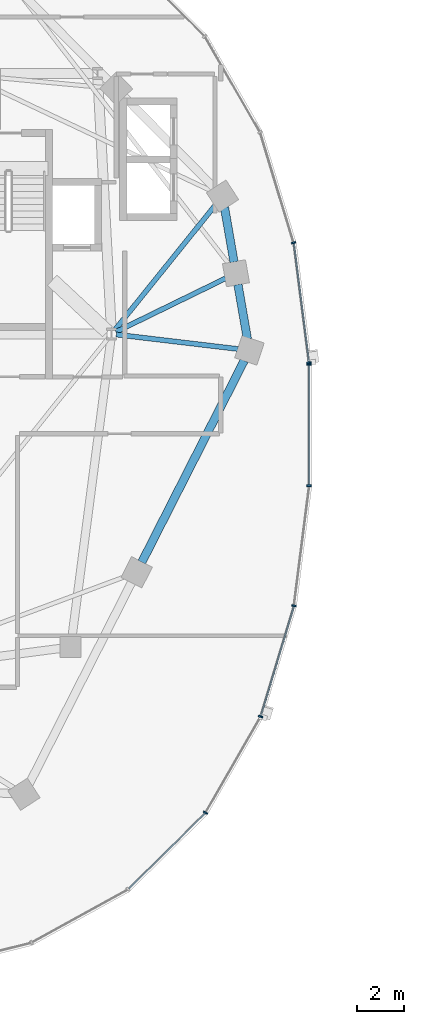
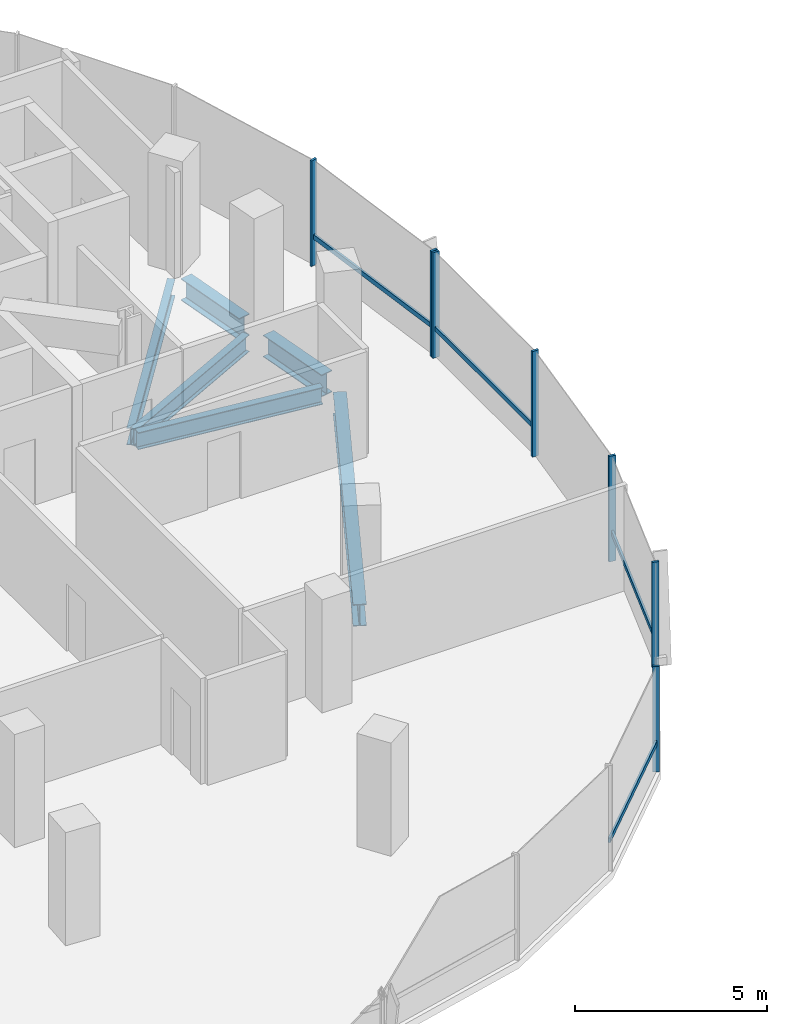
# One storey, part 4 of 22: 11 members, 6 beams, 2 elements without a shape of their own.
"""IFC4 building model written with IfcOpenShell, lengths in metres."""

from ifc_helpers import new_model, si_unit, direction, frame, origin, origin_2d, place, context, subcontext, project, spatial, rectangle, i_section, extrude, material, material_profile, profile_set, type_object, element, aggregate, save


model = new_model("IFC4")

# Units and contexts
model_context = context("Model", 3, precision=1e-05, world=origin(), true_north=direction((0.0, 1.0)))
body_context = subcontext(model_context, "Body", "Model", "MODEL_VIEW")
ifc_project = project(units=[si_unit("LENGTHUNIT", "METRE"), si_unit("AREAUNIT", "SQUARE_METRE"), si_unit("VOLUMEUNIT", "CUBIC_METRE"), si_unit("PLANEANGLEUNIT", "RADIAN"), si_unit("MASSUNIT", "GRAM", prefix="KILO"), si_unit("THERMODYNAMICTEMPERATUREUNIT", "KELVIN"), si_unit("POWERUNIT", "WATT")], contexts=[model_context])

# Site, building, storey
site_placement = place(None, origin())
site = spatial("IfcSite", under=ifc_project, at=site_placement, CompositionType="ELEMENT")
building_placement = place(site_placement, origin())
building = spatial("IfcBuilding", under=site, at=building_placement, Name="Cundina Bronze Exchange", CompositionType="ELEMENT")
storey_placement = place(building_placement, frame((0.0, 0.0, 147.60009765625)))
storey = spatial("IfcBuildingStorey", under=building, at=storey_placement, Name="L38", CompositionType="ELEMENT", Elevation=147.60009765625)

# Beams
ifc_material_1 = material(Name="Steel ASTM A992 Grade 50", Category="steel")
ifc_material_profile_1 = material_profile(ifc_material_1, i_section(OverallWidth=0.2119140625, OverallDepth=0.5439453125, WebThickness=0.01318359375, FlangeThickness=0.021240234375, FilletRadius=0.013916015625, at=origin_2d()), Name="W21X83", Category="steel")
ifc_profile_set_1 = profile_set([ifc_material_profile_1], Name="Steel ASTM A992 Grade 50")
beam_type_1 = type_object("IfcBeamType", Name="BM-FLR-W21A", PredefinedType="BEAM", material=ifc_profile_set_1)
beam_1_placement = place(storey_placement, frame((-21.247314453125, 3.8759765625, -0.51220703125), z_axis=(0.993036158382, -0.11780996624, 0.0), x_axis=(0.11780996624, 0.993036158382, 0.0)))
element("IfcBeam", 1, at=beam_1_placement, inside=storey, type_object=beam_type_1, Name="L38 Leg W Radial Floor Beam 00", PredefinedType="BEAM", context=body_context, shape_type="SweptSolid", body=[
    extrude(i_section(OverallWidth=0.2119140625, OverallDepth=0.5439453125, WebThickness=0.01318359375, FlangeThickness=0.021240234375, FilletRadius=0.013916015625, at=origin_2d()), origin(), (0.0, 0.0, 1.0), 5.249267578125),
])
beam_2_placement = place(storey_placement, frame((-21.2666015625, 3.989501953125, -0.51220703125), z_axis=(0.898604300669, 0.438759969481, 0.0), x_axis=(-0.438759969481, 0.898604300669, 0.0)))
element("IfcBeam", 2, at=beam_2_placement, inside=storey, type_object=beam_type_1, Name="L38 Leg W Radial Floor Beam 01", PredefinedType="BEAM", context=body_context, shape_type="SweptSolid", body=[
    extrude(i_section(OverallWidth=0.2119140625, OverallDepth=0.5439453125, WebThickness=0.01318359375, FlangeThickness=0.021240234375, FilletRadius=0.013916015625, at=origin_2d()), origin(), (0.0, 0.0, 1.0), 5.23388671875),
])
beam_3_placement = place(storey_placement, frame((-21.322021484375, 4.058837890625, -0.51220703125), z_axis=(0.627088684379, 0.778947868553, 0.0), x_axis=(-0.778947868553, 0.627088684379, 0.0)))
element("IfcBeam", 3, at=beam_3_placement, inside=storey, type_object=beam_type_1, Name="L38 Leg W Radial Floor Beam 02", PredefinedType="BEAM", context=body_context, shape_type="SweptSolid", body=[
    extrude(i_section(OverallWidth=0.2119140625, OverallDepth=0.5439453125, WebThickness=0.01318359375, FlangeThickness=0.021240234375, FilletRadius=0.013916015625, at=origin_2d()), origin(), (0.0, 0.0, 1.0), 6.882568359375),
])
ifc_material_profile_2 = material_profile(ifc_material_1, i_section(OverallWidth=0.35498046875, OverallDepth=0.695068359375, WebThickness=0.015380859375, FlangeThickness=0.02490234375, FilletRadius=0.01806640625, at=origin_2d()), Name="W27X146", Category="steel")
ifc_profile_set_2 = profile_set([ifc_material_profile_2], Name="Steel ASTM A992 Grade 50")
beam_type_2 = type_object("IfcBeamType", Name="BM-RING-W27", PredefinedType="USERDEFINED", material=ifc_profile_set_2)
for number, where, z_axis, x_axis, name in (
    (4, (-15.6337890625, 3.680908203125, -0.587646484375), (-0.171666718895, 0.985155083032, 0.0), (-0.985155083032, -0.171666718895, 0.0), "L38 W Perimeter Ring Girder 00"),
    (5, (-16.208740234375, 6.980712890625, -0.587646484375), (-0.171666718895, 0.985155083032, 0.0), (-0.985155083032, -0.171666718895, 0.0), "L38 W Perimeter Ring Girder 01"),
):
    element("IfcBeam", number, at=place(storey_placement, frame(where, z_axis=z_axis, x_axis=x_axis)), inside=storey, type_object=beam_type_2, Name=name, ObjectType="GIRDER", PredefinedType="USERDEFINED", context=body_context, shape_type="SweptSolid", body=[
        extrude(i_section(OverallWidth=0.35498046875, OverallDepth=0.695068359375, WebThickness=0.015380859375, FlangeThickness=0.02490234375, FilletRadius=0.01806640625, at=origin_2d()), origin(), (0.0, 0.0, 1.0), 2.37353515625),
    ])
beam_4_placement = place(storey_placement, frame((-20.154052734375, -5.864990234375, -0.587646484375), z_axis=(0.452834585354, 0.891594548159, 0.0), x_axis=(-0.891594548159, 0.452834585354, 0.0)))
element("IfcBeam", 6, at=beam_4_placement, inside=storey, type_object=beam_type_2, Name="L38 W Perimeter Ring Girder 13", ObjectType="GIRDER", PredefinedType="USERDEFINED", context=body_context, shape_type="SweptSolid", body=[
    extrude(i_section(OverallWidth=0.35498046875, OverallDepth=0.695068359375, WebThickness=0.015380859375, FlangeThickness=0.02490234375, FilletRadius=0.01806640625, at=origin_2d()), origin(), (0.0, 0.0, 1.0), 9.67919921875),
])

# Curtain wall, members
ifc_material_2 = material(Name="Anodised Bronze Aluminium 6063-T6", Category="aluminium")
curtain_wall_type = type_object("IfcCurtainWallType", Name="CWS-WST-PIN", PredefinedType="NOTDEFINED", material=ifc_material_2)
curtain_wall_1_placement = place(storey_placement, origin())
curtain_wall_1 = element("IfcCurtainWall", 7, at=curtain_wall_1_placement, inside=storey, type_object=curtain_wall_type, Name="L38 CW-04 Curtain Wall Run CWR-L38-W1", PredefinedType="NOTDEFINED")
ifc_material_profile_3 = material_profile(ifc_material_2, rectangle(XDim=0.070068359375, YDim=0.18994140625, at=origin_2d()), Name="AL70X190", Category="aluminium")
ifc_profile_set_3 = profile_set([ifc_material_profile_3], Name="Anodised Bronze Aluminium 6063-T6")
member_type_1 = type_object("IfcMemberType", Name="CWM-MUL-190", PredefinedType="MULLION", material=ifc_profile_set_3)
member_1_placement = place(storey_placement, frame((-12.998291015625, 2.676025390625, 0.0), z_axis=(0.0, 0.0, 1.0), x_axis=(-0.126545236492, 0.991960837494, 0.0)))
member_1 = element("IfcMember", 8, at=member_1_placement, type_object=member_type_1, Name="CW-04 Mullion 1", PredefinedType="MULLION", context=body_context, shape_type="SweptSolid", body=[
    extrude(rectangle(XDim=0.070068359375, YDim=0.18994140625, at=origin_2d()), origin(), (0.0, 0.0, 1.0), 3.35986328125),
])
member_2_placement = place(storey_placement, frame((-13.6591796875, 7.80859375, 0.0), z_axis=(0.0, 0.0, 1.0), x_axis=(-0.290034140915, 0.957016299288, 0.0)))
member_2 = element("IfcMember", 9, at=member_2_placement, type_object=member_type_1, Name="CW-04 Mullion 2", PredefinedType="MULLION", context=body_context, shape_type="SweptSolid", body=[
    extrude(rectangle(XDim=0.070068359375, YDim=0.18994140625, at=origin_2d()), origin(), (0.0, 0.0, 1.0), 3.35986328125),
])

curtain_wall_2_placement = place(storey_placement, origin())
curtain_wall_2 = element("IfcCurtainWall", 10, at=curtain_wall_2_placement, inside=storey, type_object=curtain_wall_type, Name="L38 CW-04 Curtain Wall Run CWR-L38-W4", PredefinedType="NOTDEFINED")
member_3_placement = place(storey_placement, frame((-17.42919921875, -16.588134765625, 0.0), z_axis=(0.0, 0.0, 1.0), x_axis=(0.498487739754, 0.866896748936, 0.0)))
member_3 = element("IfcMember", 11, at=member_3_placement, type_object=member_type_1, Name="CW-04 Mullion 4", PredefinedType="MULLION", context=body_context, shape_type="SweptSolid", body=[
    extrude(rectangle(XDim=0.070068359375, YDim=0.18994140625, at=origin_2d()), origin(), (0.0, 0.0, 1.0), 3.35986328125),
])
member_4_placement = place(storey_placement, frame((-15.07373046875, -12.4755859375, 0.0), z_axis=(0.0, 0.0, 1.0), x_axis=(0.290034140915, 0.957016299288, 0.0)))
member_4 = element("IfcMember", 12, at=member_4_placement, type_object=member_type_1, Name="CW-04 Mullion 5", PredefinedType="MULLION", context=body_context, shape_type="SweptSolid", body=[
    extrude(rectangle(XDim=0.070068359375, YDim=0.18994140625, at=origin_2d()), origin(), (0.0, 0.0, 1.0), 3.35986328125),
])
member_5_placement = place(storey_placement, frame((-13.642822265625, -7.731689453125, 0.0), z_axis=(0.0, 0.0, 1.0), x_axis=(0.126545236492, 0.991960837494, 0.0)))
member_5 = element("IfcMember", 13, at=member_5_placement, type_object=member_type_1, Name="CW-04 Mullion 6", PredefinedType="MULLION", context=body_context, shape_type="SweptSolid", body=[
    extrude(rectangle(XDim=0.070068359375, YDim=0.18994140625, at=origin_2d()), origin(), (0.0, 0.0, 1.0), 3.35986328125),
])
member_6_placement = place(storey_placement, frame((-12.992919921875, -2.593017578125, 0.0), z_axis=(0.0, 0.0, 1.0), x_axis=(0.0, 1.0, 0.0)))
member_6 = element("IfcMember", 14, at=member_6_placement, type_object=member_type_1, Name="CW-04 Mullion 7", PredefinedType="MULLION", context=body_context, shape_type="SweptSolid", body=[
    extrude(rectangle(XDim=0.070068359375, YDim=0.18994140625, at=origin_2d()), origin(), (0.0, 0.0, 1.0), 3.35986328125),
])
member_7_placement = place(storey_placement, frame((-12.992919921875, 2.593017578125, 0.0), z_axis=(0.0, 0.0, 1.0), x_axis=(0.0, 1.0, 0.0)))
member_7 = element("IfcMember", 15, at=member_7_placement, type_object=member_type_1, Name="CW-04 End Mullion", PredefinedType="MULLION", context=body_context, shape_type="SweptSolid", body=[
    extrude(rectangle(XDim=0.070068359375, YDim=0.18994140625, at=origin_2d()), origin(), (0.0, 0.0, 1.0), 3.35986328125),
])

# Member
ifc_material_profile_4 = material_profile(ifc_material_2, rectangle(XDim=0.06494140625, YDim=0.14990234375, at=origin_2d()), Name="AL65X150", Category="aluminium")
ifc_profile_set_4 = profile_set([ifc_material_profile_4], Name="Anodised Bronze Aluminium 6063-T6")
member_type_2 = type_object("IfcMemberType", Name="CWM-TRN-150", PredefinedType="USERDEFINED", material=ifc_profile_set_4)
member_8_placement = place(storey_placement, frame((-13.003173828125, 2.71435546875, 0.919921875), z_axis=(-0.12646340362, 0.991971273548, 0.0), x_axis=(-0.991971273548, -0.12646340362, 0.0)))
member_8 = element("IfcMember", 16, at=member_8_placement, type_object=member_type_2, Name="CW-04 Spandrel Transom 1", ObjectType="TRANSOM", PredefinedType="USERDEFINED", context=body_context, shape_type="SweptSolid", body=[
    extrude(rectangle(XDim=0.06494140625, YDim=0.14990234375, at=origin_2d()), origin(), (0.0, 0.0, 1.0), 5.0966796875),
])

aggregate(curtain_wall_1, [member_1, member_8, member_2])

member_9_placement = place(storey_placement, frame((-20.71337890625, -19.839599609375, 0.919921875), z_axis=(0.712005023839, 0.702174370102, 0.0), x_axis=(-0.702174370102, 0.712005023839, 0.0)))
member_9 = element("IfcMember", 17, at=member_9_placement, type_object=member_type_2, Name="CW-04 Spandrel Transom 3", ObjectType="TRANSOM", PredefinedType="USERDEFINED", context=body_context, shape_type="SweptSolid", body=[
    extrude(rectangle(XDim=0.06494140625, YDim=0.14990234375, at=origin_2d()), origin(), (0.0, 0.0, 1.0), 4.594482421875),
])

member_10_placement = place(storey_placement, frame((-15.062744140625, -12.43896484375, 0.919921875), z_axis=(0.290051855969, 0.957010930371, 0.0), x_axis=(-0.957010930371, 0.290051855969, 0.0)))
member_10 = element("IfcMember", 18, at=member_10_placement, type_object=member_type_2, Name="CW-04 Spandrel Transom 5", ObjectType="TRANSOM", PredefinedType="USERDEFINED", context=body_context, shape_type="SweptSolid", body=[
    extrude(rectangle(XDim=0.06494140625, YDim=0.14990234375, at=origin_2d()), origin(), (0.0, 0.0, 1.0), 4.876953125),
])

member_11_placement = place(storey_placement, frame((-12.992919921875, -2.554443359375, 0.919921875), z_axis=(0.0, 1.0, 0.0), x_axis=(-1.0, 0.0, 0.0)))
member_11 = element("IfcMember", 19, at=member_11_placement, type_object=member_type_2, Name="CW-04 Spandrel Transom 7", ObjectType="TRANSOM", PredefinedType="USERDEFINED", context=body_context, shape_type="SweptSolid", body=[
    extrude(rectangle(XDim=0.06494140625, YDim=0.14990234375, at=origin_2d()), origin(), (0.0, 0.0, 1.0), 5.10888671875),
])

aggregate(curtain_wall_2, [member_9, member_3, member_4, member_10, member_5, member_6, member_7, member_11])

save(model, "model.ifc")
